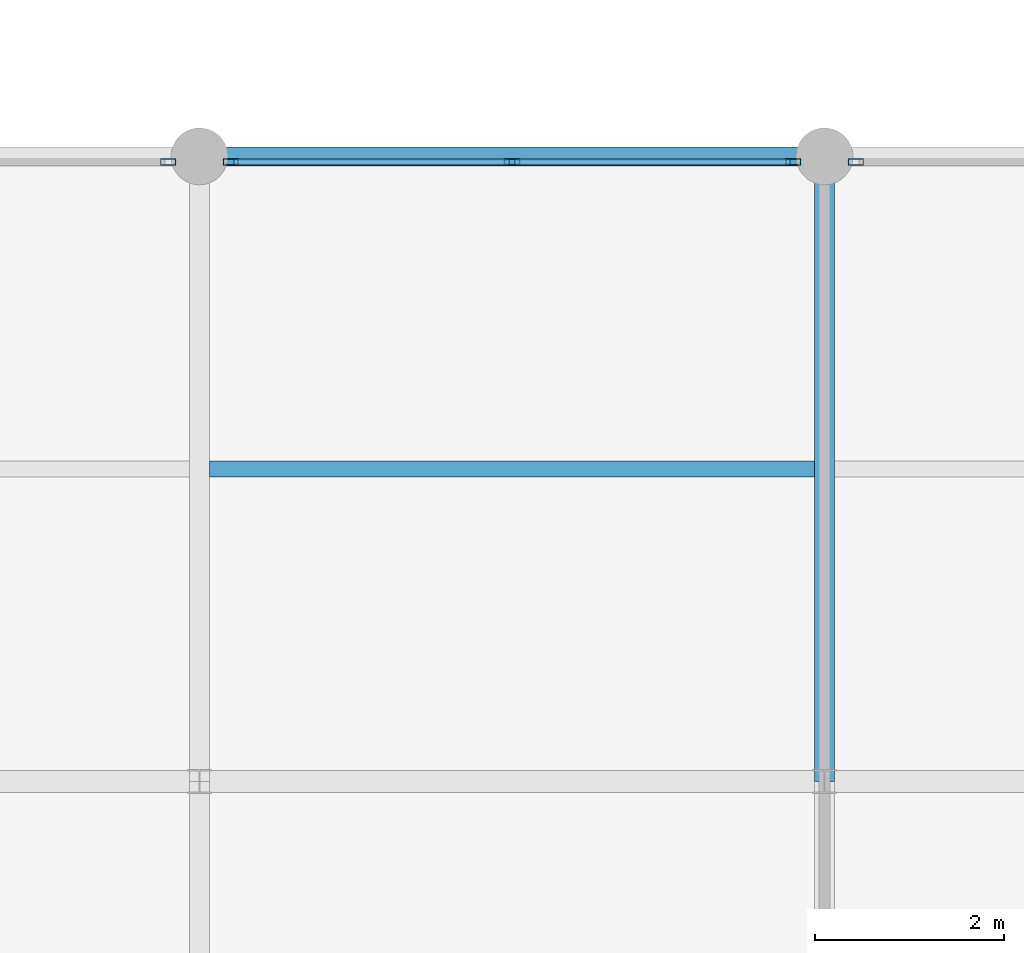
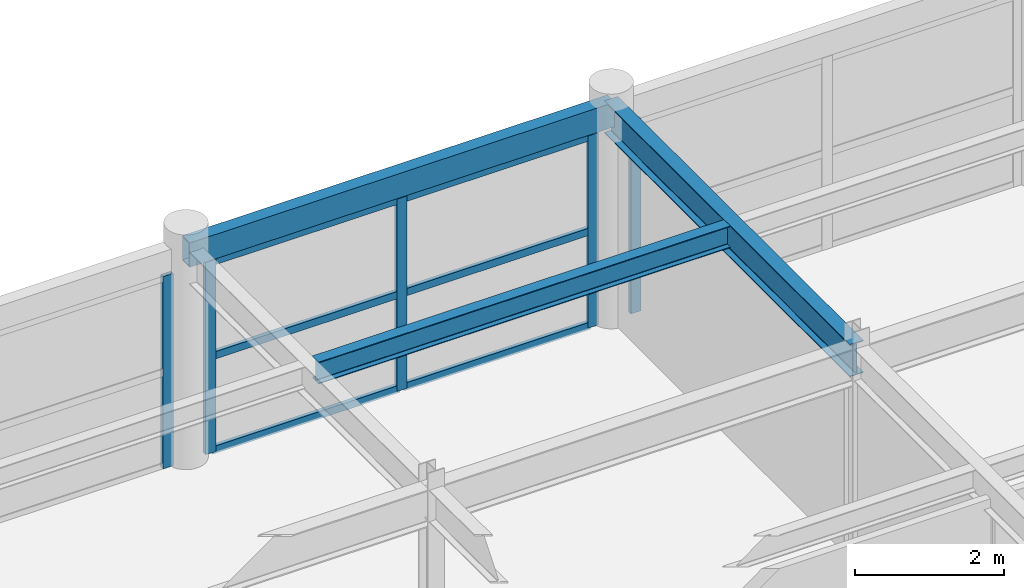
# One storey, part 9 of 28: 11 members, 3 beams, 3 elements without a shape of their own.
"""IFC4 building model written with IfcOpenShell, lengths in metres."""

from ifc_helpers import new_model, si_unit, direction, frame, origin, origin_2d, place, context, subcontext, project, spatial, hollow_rectangle, i_section, extrude, material, material_profile, profile_set, type_object, element, aggregate, save


model = new_model("IFC4")

# Units and contexts
model_context = context("Model", 3, precision=1e-05, world=origin(), true_north=direction((0.0, 1.0)))
body_context = subcontext(model_context, "Body", "Model", "MODEL_VIEW")
ifc_project = project(units=[si_unit("LENGTHUNIT", "METRE"), si_unit("AREAUNIT", "SQUARE_METRE"), si_unit("VOLUMEUNIT", "CUBIC_METRE"), si_unit("PLANEANGLEUNIT", "RADIAN"), si_unit("MASSUNIT", "GRAM", prefix="KILO")], contexts=[model_context])

# Site, building, storey
site_placement = place(None, origin())
site = spatial("IfcSite", under=ifc_project, at=site_placement, CompositionType="ELEMENT")
building_placement = place(site_placement, origin())
building = spatial("IfcBuilding", under=site, at=building_placement, Name="Karori Crest Natural Sciences Institute", CompositionType="ELEMENT")
storey_placement = place(building_placement, frame((0.0, 0.0, 34.300048828125)))
storey = spatial("IfcBuildingStorey", under=building, at=storey_placement, Name="L08", CompositionType="ELEMENT", Elevation=34.300048828125)

# Beams
ifc_material_1 = material(Name="Structural steel AS/NZS 3679.1 Grade 350", Category="steel")
ifc_material_profile_1 = material_profile(ifc_material_1, i_section(OverallWidth=0.208984375, OverallDepth=0.532958984375, WebThickness=0.01025390625, FlangeThickness=0.015625, FilletRadius=0.013916015625, at=origin_2d()), Name="530UB92.4")
ifc_profile_set_1 = profile_set([ifc_material_profile_1], Name="Structural steel AS/NZS 3679.1 Grade 350")
beam_type_1 = type_object("IfcBeamType", Name="BT-05", PredefinedType="BEAM", material=ifc_profile_set_1)
beam_1_placement = place(storey_placement, frame((130.0, 14.0, 3.303466796875), z_axis=(0.0, 1.0, 0.0), x_axis=(-1.0, 0.0, 0.0)))
element("IfcBeam", 1, at=beam_1_placement, inside=storey, type_object=beam_type_1, Name="Beam B-2735", PredefinedType="BEAM", context=body_context, shape_type="SweptSolid", body=[
    extrude(i_section(OverallWidth=0.208984375, OverallDepth=0.532958984375, WebThickness=0.01025390625, FlangeThickness=0.015625, FilletRadius=0.013916015625, at=origin_2d()), origin(), (0.0, 0.0, 1.0), 6.60009765625),
])
ifc_material_profile_2 = material_profile(ifc_material_1, i_section(OverallWidth=0.172119140625, OverallDepth=0.35888671875, WebThickness=0.008056640625, FlangeThickness=0.012939453125, FilletRadius=0.010986328125, at=origin_2d()), Name="360UB56.7")
ifc_profile_set_2 = profile_set([ifc_material_profile_2], Name="Structural steel AS/NZS 3679.1 Grade 350")
beam_type_2 = type_object("IfcBeamType", Name="BT-08", PredefinedType="BEAM", material=ifc_profile_set_2)
beam_2_placement = place(storey_placement, frame((123.50439453125, 17.300048828125, 3.390380859375), z_axis=(1.0, 0.0, 0.0), x_axis=(0.0, 1.0, 0.0)))
element("IfcBeam", 2, at=beam_2_placement, inside=storey, type_object=beam_type_2, Name="Beam B-2753", PredefinedType="BEAM", context=body_context, shape_type="SweptSolid", body=[
    extrude(i_section(OverallWidth=0.172119140625, OverallDepth=0.35888671875, WebThickness=0.008056640625, FlangeThickness=0.012939453125, FilletRadius=0.010986328125, at=origin_2d()), origin(), (0.0, 0.0, 1.0), 6.39111328125),
])
ifc_material_2 = material(Name="Hollow structural steel AS/NZS 1163 Grade C350", Category="steel")
ifc_material_profile_3 = material_profile(ifc_material_2, hollow_rectangle(XDim=0.199951171875, YDim=0.39990234375, WallThickness=0.012451171875, at=origin_2d()), Name="RHS400x200x12.5")
ifc_profile_set_3 = profile_set([ifc_material_profile_3], Name="Hollow structural steel AS/NZS 1163 Grade C350")
beam_type_3 = type_object("IfcBeamType", Name="BT-14", PredefinedType="SPANDREL", material=ifc_profile_set_3)
beam_3_placement = place(storey_placement, frame((123.39990234375, 20.60009765625, 3.369873046875), z_axis=(1.0, 0.0, 0.0), x_axis=(0.0, 1.0, 0.0)))
element("IfcBeam", 3, at=beam_3_placement, inside=storey, type_object=beam_type_3, Name="Beam B-2717", PredefinedType="SPANDREL", context=body_context, shape_type="SweptSolid", body=[
    extrude(hollow_rectangle(XDim=0.199951171875, YDim=0.39990234375, WallThickness=0.012451171875, at=origin_2d()), origin(), (0.0, 0.0, 1.0), 6.60009765625),
])

# Curtain wall, member
ifc_material_3 = material(Name="Anodised architectural aluminium 6063-T6", Category="aluminium")
curtain_wall_type = type_object("IfcCurtainWallType", Name="CWT-20", PredefinedType="NOTDEFINED", material=ifc_material_3)
curtain_wall_1_placement = place(storey_placement, origin())
curtain_wall_1 = element("IfcCurtainWall", 4, at=curtain_wall_1_placement, inside=storey, type_object=curtain_wall_type, Name="Curtain wall CW-0367", PredefinedType="NOTDEFINED")
ifc_material_profile_4 = material_profile(ifc_material_3, hollow_rectangle(XDim=0.06494140625, YDim=0.159912109375, WallThickness=0.00390625, at=origin_2d()), Name="CWM160x65x4")
ifc_profile_set_4 = profile_set([ifc_material_profile_4], Name="Anodised architectural aluminium 6063-T6")
member_type_1 = type_object("IfcMemberType", Name="CWM-01", PredefinedType="MULLION", material=ifc_profile_set_4)
member_1_placement = place(storey_placement, frame((123.069580078125, 20.5400390625, 0.0), z_axis=(0.0, 0.0, 1.0), x_axis=(0.0, 1.0, 0.0)))
member_1 = element("IfcMember", 5, at=member_1_placement, type_object=member_type_1, Name="CW-0367 mullion 3", PredefinedType="MULLION", context=body_context, shape_type="SweptSolid", body=[
    extrude(hollow_rectangle(XDim=0.06494140625, YDim=0.159912109375, WallThickness=0.00390625, at=origin_2d()), origin(), (0.0, 0.0, 1.0), 3.155029296875),
])
aggregate(curtain_wall_1, [member_1])

# Curtain wall, members
curtain_wall_2_placement = place(storey_placement, origin())
curtain_wall_2 = element("IfcCurtainWall", 6, at=curtain_wall_2_placement, inside=storey, type_object=curtain_wall_type, Name="Curtain wall CW-0368", PredefinedType="NOTDEFINED")
member_2_placement = place(storey_placement, frame((123.73046875, 20.5400390625, 0.0), z_axis=(0.0, 0.0, 1.0), x_axis=(0.0, 1.0, 0.0)))
member_2 = element("IfcMember", 7, at=member_2_placement, type_object=member_type_1, Name="CW-0368 mullion 1", PredefinedType="MULLION", context=body_context, shape_type="SweptSolid", body=[
    extrude(hollow_rectangle(XDim=0.06494140625, YDim=0.159912109375, WallThickness=0.00390625, at=origin_2d()), origin(), (0.0, 0.0, 1.0), 3.155029296875),
])
member_3_placement = place(storey_placement, frame((126.699951171875, 20.5400390625, 0.0), z_axis=(0.0, 0.0, 1.0), x_axis=(0.0, 1.0, 0.0)))
member_3 = element("IfcMember", 8, at=member_3_placement, type_object=member_type_1, Name="CW-0368 mullion 2", PredefinedType="MULLION", context=body_context, shape_type="SweptSolid", body=[
    extrude(hollow_rectangle(XDim=0.06494140625, YDim=0.159912109375, WallThickness=0.00390625, at=origin_2d()), origin(), (0.0, 0.0, 1.0), 3.155029296875),
])
member_4_placement = place(storey_placement, frame((129.66943359375, 20.5400390625, 0.0), z_axis=(0.0, 0.0, 1.0), x_axis=(0.0, 1.0, 0.0)))
member_4 = element("IfcMember", 9, at=member_4_placement, type_object=member_type_1, Name="CW-0368 mullion 3", PredefinedType="MULLION", context=body_context, shape_type="SweptSolid", body=[
    extrude(hollow_rectangle(XDim=0.06494140625, YDim=0.159912109375, WallThickness=0.00390625, at=origin_2d()), origin(), (0.0, 0.0, 1.0), 3.155029296875),
])

# Curtain wall, member
curtain_wall_3_placement = place(storey_placement, origin())
curtain_wall_3 = element("IfcCurtainWall", 10, at=curtain_wall_3_placement, inside=storey, type_object=curtain_wall_type, Name="Curtain wall CW-0369", PredefinedType="NOTDEFINED")
member_5_placement = place(storey_placement, frame((130.33056640625, 20.5400390625, 0.0), z_axis=(0.0, 0.0, 1.0), x_axis=(0.0, 1.0, 0.0)))
member_5 = element("IfcMember", 11, at=member_5_placement, type_object=member_type_1, Name="CW-0369 mullion 1", PredefinedType="MULLION", context=body_context, shape_type="SweptSolid", body=[
    extrude(hollow_rectangle(XDim=0.06494140625, YDim=0.159912109375, WallThickness=0.00390625, at=origin_2d()), origin(), (0.0, 0.0, 1.0), 3.155029296875),
])
aggregate(curtain_wall_3, [member_5])

# Member
ifc_material_profile_5 = material_profile(ifc_material_3, hollow_rectangle(XDim=0.06005859375, YDim=0.1201171875, WallThickness=0.00390625, at=origin_2d()), Name="CWT120x60x4")
ifc_profile_set_5 = profile_set([ifc_material_profile_5], Name="Anodised architectural aluminium 6063-T6")
member_type_2 = type_object("IfcMemberType", Name="CWT-TR1", PredefinedType="USERDEFINED", material=ifc_profile_set_5)
member_6_placement = place(storey_placement, frame((123.762939453125, 20.5400390625, 0.030029296875), z_axis=(1.0, 0.0, 0.0), x_axis=(0.0, 1.0, 0.0)))
member_6 = element("IfcMember", 12, at=member_6_placement, type_object=member_type_2, Name="CW-0368 transom 1.1", ObjectType="TRANSOM", PredefinedType="USERDEFINED", context=body_context, shape_type="SweptSolid", body=[
    extrude(hollow_rectangle(XDim=0.06005859375, YDim=0.1201171875, WallThickness=0.00390625, at=origin_2d()), origin(), (0.0, 0.0, 1.0), 2.904541015625),
])

member_7_placement = place(storey_placement, frame((123.762939453125, 20.5400390625, 1.577392578125), z_axis=(1.0, 0.0, 0.0), x_axis=(0.0, 1.0, 0.0)))
member_7 = element("IfcMember", 13, at=member_7_placement, type_object=member_type_2, Name="CW-0368 transom 1.2", ObjectType="TRANSOM", PredefinedType="USERDEFINED", context=body_context, shape_type="SweptSolid", body=[
    extrude(hollow_rectangle(XDim=0.06005859375, YDim=0.1201171875, WallThickness=0.00390625, at=origin_2d()), origin(), (0.0, 0.0, 1.0), 2.904541015625),
])

member_8_placement = place(storey_placement, frame((123.762939453125, 20.5400390625, 3.125), z_axis=(1.0, 0.0, 0.0), x_axis=(0.0, 1.0, 0.0)))
member_8 = element("IfcMember", 14, at=member_8_placement, type_object=member_type_2, Name="CW-0368 transom 1.3", ObjectType="TRANSOM", PredefinedType="USERDEFINED", context=body_context, shape_type="SweptSolid", body=[
    extrude(hollow_rectangle(XDim=0.06005859375, YDim=0.1201171875, WallThickness=0.00390625, at=origin_2d()), origin(), (0.0, 0.0, 1.0), 2.904541015625),
])

member_9_placement = place(storey_placement, frame((126.732421875, 20.5400390625, 0.030029296875), z_axis=(1.0, 0.0, 0.0), x_axis=(0.0, 1.0, 0.0)))
member_9 = element("IfcMember", 15, at=member_9_placement, type_object=member_type_2, Name="CW-0368 transom 2.1", ObjectType="TRANSOM", PredefinedType="USERDEFINED", context=body_context, shape_type="SweptSolid", body=[
    extrude(hollow_rectangle(XDim=0.06005859375, YDim=0.1201171875, WallThickness=0.00390625, at=origin_2d()), origin(), (0.0, 0.0, 1.0), 2.904541015625),
])

member_10_placement = place(storey_placement, frame((126.732421875, 20.5400390625, 1.577392578125), z_axis=(1.0, 0.0, 0.0), x_axis=(0.0, 1.0, 0.0)))
member_10 = element("IfcMember", 16, at=member_10_placement, type_object=member_type_2, Name="CW-0368 transom 2.2", ObjectType="TRANSOM", PredefinedType="USERDEFINED", context=body_context, shape_type="SweptSolid", body=[
    extrude(hollow_rectangle(XDim=0.06005859375, YDim=0.1201171875, WallThickness=0.00390625, at=origin_2d()), origin(), (0.0, 0.0, 1.0), 2.904541015625),
])

member_11_placement = place(storey_placement, frame((126.732421875, 20.5400390625, 3.125), z_axis=(1.0, 0.0, 0.0), x_axis=(0.0, 1.0, 0.0)))
member_11 = element("IfcMember", 17, at=member_11_placement, type_object=member_type_2, Name="CW-0368 transom 2.3", ObjectType="TRANSOM", PredefinedType="USERDEFINED", context=body_context, shape_type="SweptSolid", body=[
    extrude(hollow_rectangle(XDim=0.06005859375, YDim=0.1201171875, WallThickness=0.00390625, at=origin_2d()), origin(), (0.0, 0.0, 1.0), 2.904541015625),
])

aggregate(curtain_wall_2, [member_2, member_3, member_4, member_6, member_7, member_8, member_9, member_10, member_11])

save(model, "model.ifc")
